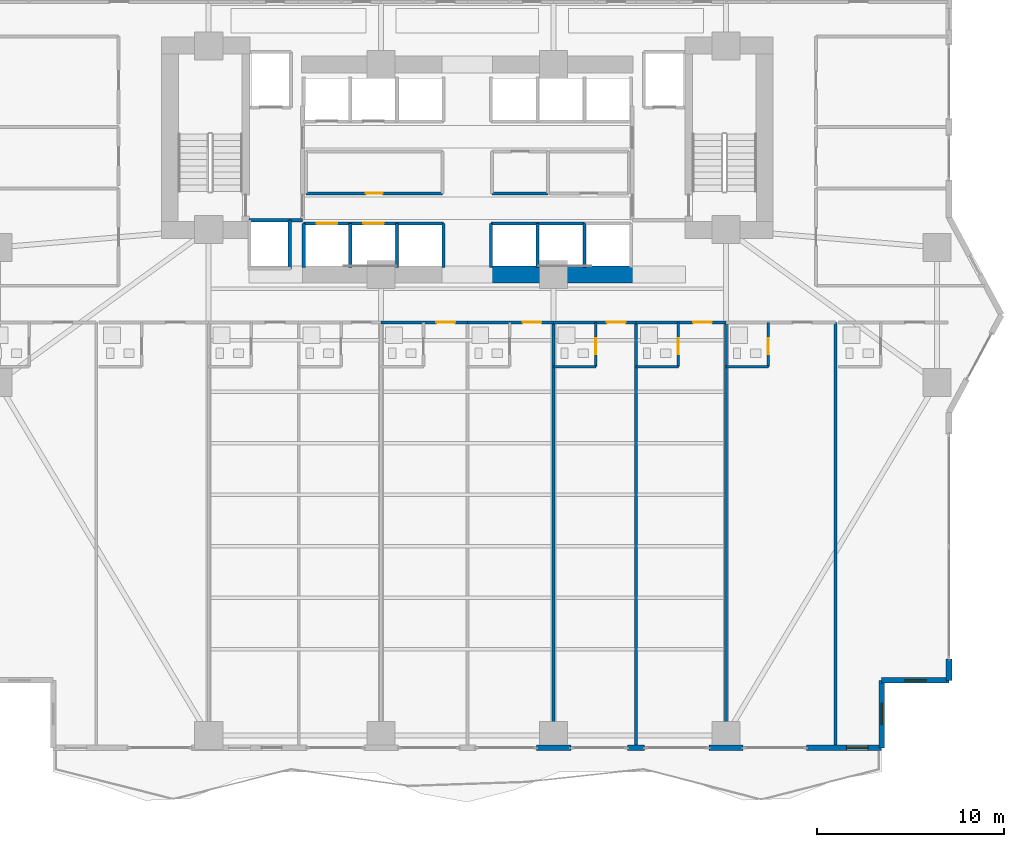
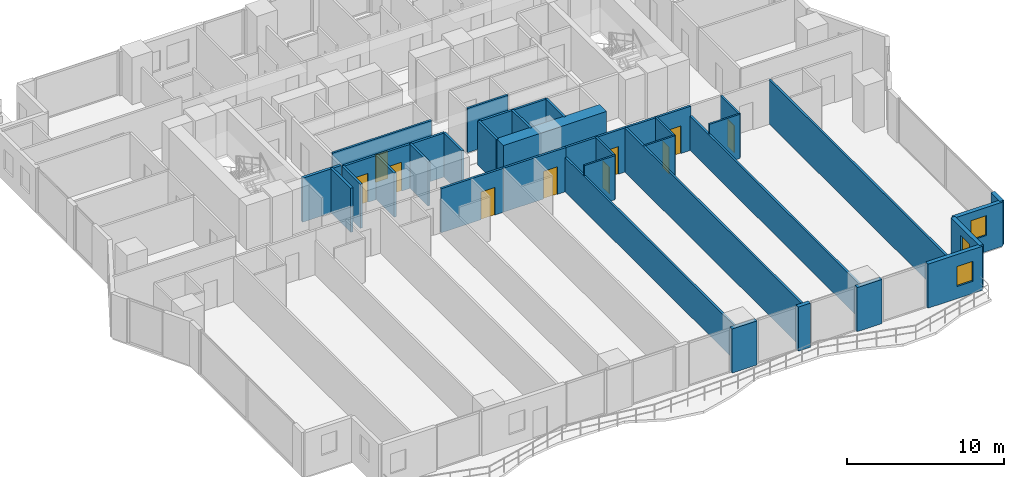
# One storey, part 20 of 29: 38 walls, 10 doors, 3 windows, 13 openings.
"""IFC4 building model written with IfcOpenShell, lengths in metres."""

from ifc_helpers import new_model, si_unit, direction, frame, frame_2d, origin, place, context, subcontext, project, spatial, rectangle, extrude, material, layer, layer_set, type_object, element, fill, save


model = new_model("IFC4")

# Units and contexts
model_context = context("Model", 3, precision=1e-05, world=origin(), true_north=direction((0.0, 1.0)))
body_context = subcontext(model_context, "Body", "Model", "MODEL_VIEW")
ifc_project = project(units=[si_unit("LENGTHUNIT", "METRE"), si_unit("AREAUNIT", "SQUARE_METRE"), si_unit("VOLUMEUNIT", "CUBIC_METRE"), si_unit("PLANEANGLEUNIT", "RADIAN"), si_unit("MASSUNIT", "GRAM", prefix="KILO")], contexts=[model_context])

# Site, building, storey
site_placement = place(None, origin())
site = spatial("IfcSite", under=ifc_project, at=site_placement, CompositionType="ELEMENT")
building_placement = place(site_placement, origin())
building = spatial("IfcBuilding", under=site, at=building_placement, Name="Zuhayl Quay Hotel", CompositionType="ELEMENT")
storey_placement = place(building_placement, frame((0.0, 0.0, 60.449951171875)))
storey = spatial("IfcBuildingStorey", under=building, at=storey_placement, Name="L14", CompositionType="ELEMENT", Elevation=60.449951171875)

# Walls
ifc_material_1 = material(Name="Concrete C70/85", Category="concrete")
ifc_layer_1 = layer(ifc_material_1, 0.89990234375, Name="Concrete C70/85", Category="concrete")
ifc_layer_set_1 = layer_set([ifc_layer_1], Name="Concrete C70/85")
wall_type_1 = type_object("IfcWallType", Name="WL_CORE_900", PredefinedType="SHEAR", material=ifc_layer_set_1)
wall_1_placement = place(storey_placement, frame((1.25, 2.14990234375, 0.0), z_axis=(0.0, 0.0, 1.0), x_axis=(1.0, 0.0, 0.0)))
element("IfcWall", 1, at=wall_1_placement, inside=storey, type_object=wall_type_1, Name="L14 Core Shear Wall CW_SC_E", PredefinedType="SHEAR", context=body_context, shape_type="SweptSolid", body=[
    extrude(rectangle(XDim=7.60009765625, YDim=0.89990234375, at=frame_2d((3.800048828125, 0.0))), origin(), (0.0, 0.0, 1.0), 3.429931640625),
])
ifc_material_2 = material(Name="Precast concrete C45/55", Category="concrete")
ifc_layer_2 = layer(ifc_material_2, 0.300048828125, Name="Precast concrete C45/55", Category="concrete")
ifc_layer_set_2 = layer_set([ifc_layer_2], Name="Precast concrete C45/55")
wall_type_2 = type_object("IfcWallType", Name="WL_EXT_300", PredefinedType="STANDARD", material=ifc_layer_set_2)
wall_2_placement = place(storey_placement, frame((25.699951171875, -18.35009765625, 0.0), z_axis=(0.0, 0.0, 1.0), x_axis=(0.0, -1.0, 0.0)))
element("IfcWall", 2, at=wall_2_placement, inside=storey, type_object=wall_type_2, Name="L14 Exterior Precast Wall ENV_L14_E14_EW2", PredefinedType="STANDARD", context=body_context, shape_type="SweptSolid", body=[
    extrude(rectangle(XDim=1.14990234375, YDim=0.300048828125, at=frame_2d((0.574951171875, 0.0))), origin(), (0.0, 0.0, 1.0), 3.429931640625),
])

# Wall, opening, window
wall_3_placement = place(storey_placement, frame((25.699951171875, -19.5, 0.0), z_axis=(0.0, 0.0, 1.0), x_axis=(-1.0, 0.0, 0.0)))
wall_3 = element("IfcWall", 3, at=wall_3_placement, inside=storey, type_object=wall_type_2, Name="L14 Exterior Precast Wall ENV_L14_EW15", PredefinedType="STANDARD", context=body_context, shape_type="SweptSolid", body=[
    extrude(rectangle(XDim=3.599853515625, YDim=0.300048828125, at=frame_2d((1.7998046875, 0.0))), origin(), (0.0, 0.0, 1.0), 3.429931640625),
])
opening_1_placement = place(wall_3_placement, frame((1.22509765625, 0.0, 1.25)))
opening_1 = element("IfcOpeningElement", 4, at=opening_1_placement, cuts=wall_3, Name="Opening W01N", PredefinedType="OPENING", context=body_context, shape_type="SweptSolid", body=[
    extrude(rectangle(XDim=1.14990234375, YDim=1.550048828125, at=frame_2d((0.574951171875, 0.77490234375))), frame((0.0, 0.159912109375, 0.0), z_axis=(0.0, -1.0, 0.0), x_axis=(1.0, 0.0, 0.0)), (0.0, 0.0, 1.0), 0.320068359375),
])
ifc_material_3 = material(Name="Dark Ceramic-Fritted Solar Glass", Category="glass")
window_type = type_object("IfcWindowType", Name="WN_NOTCH_1350", PartitioningType="SINGLE_PANEL", PredefinedType="WINDOW", material=ifc_material_3)
window_1_placement = place(opening_1_placement, origin())
window_1 = element("IfcWindow", 5, at=window_1_placement, inside=storey, type_object=window_type, Name="L14 Corner Notch Window 15", OverallHeight=1.550048828125, OverallWidth=1.14990234375, PartitioningType="SINGLE_PANEL", PredefinedType="WINDOW", context=body_context, shape_type="SweptSolid", body=[
    extrude(rectangle(XDim=1.14990234375, YDim=1.550048828125, at=frame_2d((0.574951171875, 0.77490234375))), frame((0.0, 0.030029296875, 0.0), z_axis=(0.0, -1.0, 0.0), x_axis=(1.0, 0.0, 0.0)), (0.0, 0.0, 1.0), 0.06005859375),
])
fill(opening_1, window_1)

wall_4_placement = place(storey_placement, frame((22.10009765625, -19.5, 0.0), z_axis=(0.0, 0.0, 1.0), x_axis=(0.0, -1.0, 0.0)))
wall_4 = element("IfcWall", 6, at=wall_4_placement, inside=storey, type_object=wall_type_2, Name="L14 Exterior Precast Wall ENV_L14_EW16", PredefinedType="STANDARD", context=body_context, shape_type="SweptSolid", body=[
    extrude(rectangle(XDim=3.60009765625, YDim=0.300048828125, at=frame_2d((1.800048828125, 0.0))), origin(), (0.0, 0.0, 1.0), 3.429931640625),
])
opening_2_placement = place(wall_4_placement, frame((1.22509765625, 0.0, 1.25)))
opening_2 = element("IfcOpeningElement", 7, at=opening_2_placement, cuts=wall_4, Name="Opening W01N", PredefinedType="OPENING", context=body_context, shape_type="SweptSolid", body=[
    extrude(rectangle(XDim=1.14990234375, YDim=1.550048828125, at=frame_2d((0.574951171875, 0.77490234375))), frame((0.0, 0.159912109375, 0.0), z_axis=(0.0, -1.0, 0.0), x_axis=(1.0, 0.0, 0.0)), (0.0, 0.0, 1.0), 0.320068359375),
])
window_2_placement = place(opening_2_placement, origin())
window_2 = element("IfcWindow", 8, at=window_2_placement, inside=storey, type_object=window_type, Name="L14 Corner Notch Window 16", OverallHeight=1.550048828125, OverallWidth=1.14990234375, PartitioningType="SINGLE_PANEL", PredefinedType="WINDOW", context=body_context, shape_type="SweptSolid", body=[
    extrude(rectangle(XDim=1.14990234375, YDim=1.550048828125, at=frame_2d((0.574951171875, 0.77490234375))), frame((0.0, 0.030029296875, 0.0), z_axis=(0.0, -1.0, 0.0), x_axis=(1.0, 0.0, 0.0)), (0.0, 0.0, 1.0), 0.06005859375),
])
fill(opening_2, window_2)

wall_5_placement = place(storey_placement, frame((22.10009765625, -23.10009765625, 0.0), z_axis=(0.0, 0.0, 1.0), x_axis=(-1.0, 0.0, 0.0)))
wall_5 = element("IfcWall", 9, at=wall_5_placement, inside=storey, type_object=wall_type_2, Name="L14 Exterior Precast Wall ENV_L14_S_EW1", PredefinedType="STANDARD", context=body_context, shape_type="SweptSolid", body=[
    extrude(rectangle(XDim=4.0, YDim=0.300048828125, at=frame_2d((2.0, 0.0))), origin(), (0.0, 0.0, 1.0), 3.429931640625),
])
opening_3_placement = place(wall_5_placement, frame((0.715087890625, 0.0, 0.949951171875)))
opening_3 = element("IfcOpeningElement", 10, at=opening_3_placement, cuts=wall_5, Name="Opening W01N", PredefinedType="OPENING", context=body_context, shape_type="SweptSolid", body=[
    extrude(rectangle(XDim=1.14990234375, YDim=1.550048828125, at=frame_2d((0.574951171875, 0.77490234375))), frame((0.0, 0.159912109375, 0.0), z_axis=(0.0, -1.0, 0.0), x_axis=(1.0, 0.0, 0.0)), (0.0, 0.0, 1.0), 0.320068359375),
])
window_3_placement = place(opening_3_placement, origin())
window_3 = element("IfcWindow", 11, at=window_3_placement, inside=storey, type_object=window_type, Name="L14 Operable Facade Window 1-1", OverallHeight=1.550048828125, OverallWidth=1.14990234375, PartitioningType="SINGLE_PANEL", PredefinedType="WINDOW", context=body_context, shape_type="SweptSolid", body=[
    extrude(rectangle(XDim=1.14990234375, YDim=1.550048828125, at=frame_2d((0.574951171875, 0.77490234375))), frame((0.0, 0.030029296875, 0.0), z_axis=(0.0, -1.0, 0.0), x_axis=(1.0, 0.0, 0.0)), (0.0, 0.0, 1.0), 0.06005859375),
])
fill(opening_3, window_3)

# Walls
wall_6_placement = place(storey_placement, frame((14.719970703125, -23.10009765625, 0.0), z_axis=(0.0, 0.0, 1.0), x_axis=(-1.0, 0.0, 0.0)))
element("IfcWall", 12, at=wall_6_placement, inside=storey, type_object=wall_type_2, Name="L14 Exterior Precast Wall ENV_L14_S_EW2", PredefinedType="STANDARD", context=body_context, shape_type="SweptSolid", body=[
    extrude(rectangle(XDim=1.840087890625, YDim=0.300048828125, at=frame_2d((0.919921875, 0.0))), origin(), (0.0, 0.0, 1.0), 3.429931640625),
])
wall_7_placement = place(storey_placement, frame((9.449951171875, -23.10009765625, 0.0), z_axis=(0.0, 0.0, 1.0), x_axis=(-1.0, 0.0, 0.0)))
element("IfcWall", 13, at=wall_7_placement, inside=storey, type_object=wall_type_2, Name="L14 Exterior Precast Wall ENV_L14_S_EW3", PredefinedType="STANDARD", context=body_context, shape_type="SweptSolid", body=[
    extrude(rectangle(XDim=0.89990234375, YDim=0.300048828125, at=frame_2d((0.449951171875, 0.0))), origin(), (0.0, 0.0, 1.0), 3.429931640625),
])
wall_8_placement = place(storey_placement, frame((5.52001953125, -23.10009765625, 0.0), z_axis=(0.0, 0.0, 1.0), x_axis=(-1.0, 0.0, 0.0)))
element("IfcWall", 14, at=wall_8_placement, inside=storey, type_object=wall_type_2, Name="L14 Exterior Precast Wall ENV_L14_S_EW4", PredefinedType="STANDARD", context=body_context, shape_type="SweptSolid", body=[
    extrude(rectangle(XDim=1.840087890625, YDim=0.300048828125, at=frame_2d((0.919921875, 0.0))), origin(), (0.0, 0.0, 1.0), 3.429931640625),
])

# Wall, opening, door
ifc_material_4 = material(Name="Acoustic Gypsum Partition STC-58")
ifc_layer_3 = layer(ifc_material_4, 0.14990234375, Name="Acoustic Gypsum Partition STC-58")
ifc_layer_set_3 = layer_set([ifc_layer_3], Name="Acoustic Gypsum Partition STC-58")
wall_type_3 = type_object("IfcWallType", Name="WL_PART_150", PredefinedType="PARTITIONING", material=ifc_layer_set_3)
wall_9_placement = place(storey_placement, frame((-8.610107421875, 6.47998046875, 0.0), z_axis=(0.0, 0.0, 1.0), x_axis=(1.0, 0.0, 0.0)))
wall_9 = element("IfcWall", 15, at=wall_9_placement, inside=storey, type_object=wall_type_3, Name="L14 Partition IW_L14_CORE_EL_S", PredefinedType="PARTITIONING", context=body_context, shape_type="SweptSolid", body=[
    extrude(rectangle(XDim=7.2900390625, YDim=0.14990234375, at=frame_2d((3.64501953125, 0.0))), origin(), (0.0, 0.0, 1.0), 3.429931640625),
])
opening_4_placement = place(wall_9_placement, frame((3.195068359375, 0.0, 0.0)))
opening_4 = element("IfcOpeningElement", 16, at=opening_4_placement, cuts=wall_9, Name="Opening D06", PredefinedType="OPENING", context=body_context, shape_type="SweptSolid", body=[
    extrude(rectangle(XDim=0.89990234375, YDim=2.14990234375, at=frame_2d((0.449951171875, 1.074951171875))), frame((0.0, 0.0849609375, 0.0), z_axis=(0.0, -1.0, 0.0), x_axis=(1.0, 0.0, 0.0)), (0.0, 0.0, 1.0), 0.169921875),
])
ifc_material_5 = material(Name="Steel ASTM A992 Grade 50", Category="steel")
door_type_1 = type_object("IfcDoorType", Name="DR_INT_900", OperationType="NOTDEFINED", PredefinedType="DOOR", material=ifc_material_5)
door_1_placement = place(opening_4_placement, origin())
door_1 = element("IfcDoor", 17, at=door_1_placement, inside=storey, type_object=door_type_1, Name="L14 Floor Electrical Plant Room Door", OperationType="SINGLE_SWING_RIGHT", OverallHeight=2.14990234375, OverallWidth=0.89990234375, PredefinedType="DOOR", context=body_context, shape_type="SweptSolid", body=[
    extrude(rectangle(XDim=0.89990234375, YDim=2.14990234375, at=frame_2d((0.449951171875, 1.074951171875))), frame((0.0, 0.02490234375, 0.0), z_axis=(0.0, -1.0, 0.0), x_axis=(1.0, 0.0, 0.0)), (0.0, 0.0, 1.0), 0.050048828125),
])
fill(opening_4, door_1)

# Walls
wall_10_placement = place(storey_placement, frame((1.320068359375, 6.47998046875, 0.0), z_axis=(0.0, 0.0, 1.0), x_axis=(1.0, 0.0, 0.0)))
element("IfcWall", 18, at=wall_10_placement, inside=storey, type_object=wall_type_3, Name="L14 Partition IW_L14_CORE_IT_S", PredefinedType="PARTITIONING", context=body_context, shape_type="SweptSolid", body=[
    extrude(rectangle(XDim=2.989990234375, YDim=0.14990234375, at=frame_2d((1.4951171875, 0.0))), origin(), (0.0, 0.0, 1.0), 3.429931640625),
])
wall_11_placement = place(storey_placement, frame((4.60009765625, -23.02001953125, 0.0), z_axis=(0.0, 0.0, 1.0), x_axis=(0.0, 1.0, 0.0)))
element("IfcWall", 19, at=wall_11_placement, inside=storey, type_object=wall_type_3, Name="L14 Partition IW_L14_SU05_E", PredefinedType="PARTITIONING", context=body_context, shape_type="SweptSolid", body=[
    extrude(rectangle(XDim=22.6201171875, YDim=0.14990234375, at=frame_2d((11.31005859375, 0.0))), origin(), (0.0, 0.0, 1.0), 2.66796875),
])
wall_12_placement = place(storey_placement, frame((9.0, -23.02001953125, 0.0), z_axis=(0.0, 0.0, 1.0), x_axis=(0.0, 1.0, 0.0)))
element("IfcWall", 20, at=wall_12_placement, inside=storey, type_object=wall_type_3, Name="L14 Partition IW_L14_SU06_E", PredefinedType="PARTITIONING", context=body_context, shape_type="SweptSolid", body=[
    extrude(rectangle(XDim=22.6201171875, YDim=0.14990234375, at=frame_2d((11.31005859375, 0.0))), origin(), (0.0, 0.0, 1.0), 3.429931640625),
])
wall_13_placement = place(storey_placement, frame((13.800048828125, -23.02001953125, 0.0), z_axis=(0.0, 0.0, 1.0), x_axis=(0.0, 1.0, 0.0)))
element("IfcWall", 21, at=wall_13_placement, inside=storey, type_object=wall_type_3, Name="L14 Partition IW_L14_SU07_E", PredefinedType="PARTITIONING", context=body_context, shape_type="SweptSolid", body=[
    extrude(rectangle(XDim=22.6201171875, YDim=0.14990234375, at=frame_2d((11.31005859375, 0.0))), origin(), (0.0, 0.0, 1.0), 2.66796875),
])
wall_14_placement = place(storey_placement, frame((19.639892578125, -23.02001953125, 0.0), z_axis=(0.0, 0.0, 1.0), x_axis=(0.0, 1.0, 0.0)))
element("IfcWall", 22, at=wall_14_placement, inside=storey, type_object=wall_type_3, Name="L14 Partition IW_L14_SU08A_E", PredefinedType="PARTITIONING", context=body_context, shape_type="SweptSolid", body=[
    extrude(rectangle(XDim=22.6201171875, YDim=0.14990234375, at=frame_2d((11.31005859375, 0.0))), origin(), (0.0, 0.0, 1.0), 3.429931640625),
])

# Wall, opening, door
ifc_layer_4 = layer(ifc_material_4, 0.159912109375, Name="Acoustic Gypsum Partition STC-58")
ifc_layer_set_4 = layer_set([ifc_layer_4], Name="Acoustic Gypsum Partition STC-58")
wall_type_4 = type_object("IfcWallType", Name="WL_PART_CORR_160", PredefinedType="PARTITIONING", material=ifc_layer_set_4)
wall_15_placement = place(storey_placement, frame((-4.60009765625, -0.39990234375, 0.0), z_axis=(0.0, 0.0, 1.0), x_axis=(1.0, 0.0, 0.0)))
wall_15 = element("IfcWall", 23, at=wall_15_placement, inside=storey, type_object=wall_type_4, Name="L14 Partition IW_L14_SU04_COR", PredefinedType="PARTITIONING", context=body_context, shape_type="SweptSolid", body=[
    extrude(rectangle(XDim=4.60009765625, YDim=0.159912109375, at=frame_2d((2.300048828125, 0.0))), origin(), (0.0, 0.0, 1.0), 3.429931640625),
])
opening_5_placement = place(wall_15_placement, frame((2.949951171875, 0.0, 0.0)))
opening_5 = element("IfcOpeningElement", 24, at=opening_5_placement, cuts=wall_15, Name="Opening D03L", PredefinedType="OPENING", context=body_context, shape_type="SweptSolid", body=[
    extrude(rectangle(XDim=1.0, YDim=2.14990234375, at=frame_2d((0.5, 1.074951171875))), frame((0.0, 0.08984375, 0.0), z_axis=(0.0, -1.0, 0.0), x_axis=(1.0, 0.0, 0.0)), (0.0, 0.0, 1.0), 0.179931640625),
])
ifc_material_6 = material(Name="Solid Walnut Acoustic Fire Door")
door_type_2 = type_object("IfcDoorType", Name="DR_SUITE_1000", OperationType="NOTDEFINED", PredefinedType="DOOR", material=ifc_material_6)
door_2_placement = place(opening_5_placement, origin())
door_2 = element("IfcDoor", 25, at=door_2_placement, inside=storey, type_object=door_type_2, Name="L14 Premier Twin Junior Suite L14-04 Entrance Door", OperationType="SINGLE_SWING_RIGHT", OverallHeight=2.14990234375, OverallWidth=1.0, PredefinedType="DOOR", context=body_context, shape_type="SweptSolid", body=[
    extrude(rectangle(XDim=1.0, YDim=2.14990234375, at=frame_2d((0.5, 1.074951171875))), frame((0.0, 0.02490234375, 0.0), z_axis=(0.0, -1.0, 0.0), x_axis=(1.0, 0.0, 0.0)), (0.0, 0.0, 1.0), 0.050048828125),
])
fill(opening_5, door_2)

wall_16_placement = place(storey_placement, frame((0.0, -0.39990234375, 0.0), z_axis=(0.0, 0.0, 1.0), x_axis=(1.0, 0.0, 0.0)))
wall_16 = element("IfcWall", 26, at=wall_16_placement, inside=storey, type_object=wall_type_4, Name="L14 Partition IW_L14_SU05_COR", PredefinedType="PARTITIONING", context=body_context, shape_type="SweptSolid", body=[
    extrude(rectangle(XDim=4.60009765625, YDim=0.159912109375, at=frame_2d((2.300048828125, 0.0))), origin(), (0.0, 0.0, 1.0), 3.429931640625),
])
opening_6_placement = place(wall_16_placement, frame((2.949951171875, 0.0, 0.0)))
opening_6 = element("IfcOpeningElement", 27, at=opening_6_placement, cuts=wall_16, Name="Opening D03L", PredefinedType="OPENING", context=body_context, shape_type="SweptSolid", body=[
    extrude(rectangle(XDim=1.0, YDim=2.14990234375, at=frame_2d((0.5, 1.074951171875))), frame((0.0, 0.08984375, 0.0), z_axis=(0.0, -1.0, 0.0), x_axis=(1.0, 0.0, 0.0)), (0.0, 0.0, 1.0), 0.179931640625),
])
door_3_placement = place(opening_6_placement, origin())
door_3 = element("IfcDoor", 28, at=door_3_placement, inside=storey, type_object=door_type_2, Name="L14 Premier Twin Junior Suite L14-05 Entrance Door", OperationType="SINGLE_SWING_RIGHT", OverallHeight=2.14990234375, OverallWidth=1.0, PredefinedType="DOOR", context=body_context, shape_type="SweptSolid", body=[
    extrude(rectangle(XDim=1.0, YDim=2.14990234375, at=frame_2d((0.5, 1.074951171875))), frame((0.0, 0.02490234375, 0.0), z_axis=(0.0, -1.0, 0.0), x_axis=(1.0, 0.0, 0.0)), (0.0, 0.0, 1.0), 0.050048828125),
])
fill(opening_6, door_3)

wall_17_placement = place(storey_placement, frame((4.60009765625, -0.39990234375, 0.0), z_axis=(0.0, 0.0, 1.0), x_axis=(1.0, 0.0, 0.0)))
wall_17 = element("IfcWall", 29, at=wall_17_placement, inside=storey, type_object=wall_type_4, Name="L14 Partition IW_L14_SU06_COR", PredefinedType="PARTITIONING", context=body_context, shape_type="SweptSolid", body=[
    extrude(rectangle(XDim=4.39990234375, YDim=0.159912109375, at=frame_2d((2.199951171875, 0.0))), origin(), (0.0, 0.0, 1.0), 3.429931640625),
])
opening_7_placement = place(wall_17_placement, frame((2.85009765625, 0.0, 0.0)))
opening_7 = element("IfcOpeningElement", 30, at=opening_7_placement, cuts=wall_17, Name="Opening D03L", PredefinedType="OPENING", context=body_context, shape_type="SweptSolid", body=[
    extrude(rectangle(XDim=1.0, YDim=2.14990234375, at=frame_2d((0.5, 1.074951171875))), frame((0.0, 0.08984375, 0.0), z_axis=(0.0, -1.0, 0.0), x_axis=(1.0, 0.0, 0.0)), (0.0, 0.0, 1.0), 0.179931640625),
])
door_4_placement = place(opening_7_placement, origin())
door_4 = element("IfcDoor", 31, at=door_4_placement, inside=storey, type_object=door_type_2, Name="L14 Premier Twin Junior Suite L14-06 Entrance Door", OperationType="SINGLE_SWING_RIGHT", OverallHeight=2.14990234375, OverallWidth=1.0, PredefinedType="DOOR", context=body_context, shape_type="SweptSolid", body=[
    extrude(rectangle(XDim=1.0, YDim=2.14990234375, at=frame_2d((0.5, 1.074951171875))), frame((0.0, 0.02490234375, 0.0), z_axis=(0.0, -1.0, 0.0), x_axis=(1.0, 0.0, 0.0)), (0.0, 0.0, 1.0), 0.050048828125),
])
fill(opening_7, door_4)

wall_18_placement = place(storey_placement, frame((9.0, -0.39990234375, 0.0), z_axis=(0.0, 0.0, 1.0), x_axis=(1.0, 0.0, 0.0)))
wall_18 = element("IfcWall", 32, at=wall_18_placement, inside=storey, type_object=wall_type_4, Name="L14 Partition IW_L14_SU07_COR", PredefinedType="PARTITIONING", context=body_context, shape_type="SweptSolid", body=[
    extrude(rectangle(XDim=4.800048828125, YDim=0.159912109375, at=frame_2d((2.39990234375, 0.0))), origin(), (0.0, 0.0, 1.0), 3.429931640625),
])
opening_8_placement = place(wall_18_placement, frame((3.050048828125, 0.0, 0.0)))
opening_8 = element("IfcOpeningElement", 33, at=opening_8_placement, cuts=wall_18, Name="Opening D03L", PredefinedType="OPENING", context=body_context, shape_type="SweptSolid", body=[
    extrude(rectangle(XDim=1.0, YDim=2.14990234375, at=frame_2d((0.5, 1.074951171875))), frame((0.0, 0.08984375, 0.0), z_axis=(0.0, -1.0, 0.0), x_axis=(1.0, 0.0, 0.0)), (0.0, 0.0, 1.0), 0.179931640625),
])
door_5_placement = place(opening_8_placement, origin())
door_5 = element("IfcDoor", 34, at=door_5_placement, inside=storey, type_object=door_type_2, Name="L14 Premier Twin Junior Suite L14-07 Entrance Door", OperationType="SINGLE_SWING_RIGHT", OverallHeight=2.14990234375, OverallWidth=1.0, PredefinedType="DOOR", context=body_context, shape_type="SweptSolid", body=[
    extrude(rectangle(XDim=1.0, YDim=2.14990234375, at=frame_2d((0.5, 1.074951171875))), frame((0.0, 0.02490234375, 0.0), z_axis=(0.0, -1.0, 0.0), x_axis=(1.0, 0.0, 0.0)), (0.0, 0.0, 1.0), 0.050048828125),
])
fill(opening_8, door_5)

ifc_material_7 = material(Name="Moisture-Resistant Sanitarychase Gypsum")
ifc_layer_5 = layer(ifc_material_7, 0.135009765625, Name="Moisture-Resistant Sanitarychase Gypsum")
ifc_layer_set_5 = layer_set([ifc_layer_5], Name="Moisture-Resistant Sanitarychase Gypsum")
wall_type_5 = type_object("IfcWallType", Name="WL_PART_PLUMB_150", PredefinedType="PLUMBINGWALL", material=ifc_layer_set_5)
wall_19_placement = place(storey_placement, frame((6.860107421875, -2.760009765625, 0.0), z_axis=(0.0, 0.0, 1.0), x_axis=(0.0, 1.0, 0.0)))
wall_19 = element("IfcWall", 35, at=wall_19_placement, inside=storey, type_object=wall_type_5, Name="L14 Partition IW_L14_SU06_BE", PredefinedType="PLUMBINGWALL", context=body_context, shape_type="SweptSolid", body=[
    extrude(rectangle(XDim=2.360107421875, YDim=0.135009765625, at=frame_2d((1.18017578125, 0.0))), origin(), (0.0, 0.0, 1.0), 3.429931640625),
])
opening_9_placement = place(wall_19_placement, frame((0.64990234375, 0.0, 0.0)))
opening_9 = element("IfcOpeningElement", 36, at=opening_9_placement, cuts=wall_19, Name="Opening D04", PredefinedType="OPENING", context=body_context, shape_type="SweptSolid", body=[
    extrude(rectangle(XDim=0.85009765625, YDim=2.10009765625, at=frame_2d((0.425048828125, 1.050048828125))), frame((0.0, 0.077392578125, 0.0), z_axis=(0.0, -1.0, 0.0), x_axis=(1.0, 0.0, 0.0)), (0.0, 0.0, 1.0), 0.155029296875),
])
ifc_material_8 = material(Name="Moisture-Resistant Walnut Veneer")
door_type_3 = type_object("IfcDoorType", Name="DR_BATH_850", OperationType="NOTDEFINED", PredefinedType="DOOR", material=ifc_material_8)
door_6_placement = place(opening_9_placement, origin())
door_6 = element("IfcDoor", 37, at=door_6_placement, inside=storey, type_object=door_type_3, Name="L14 Premier Twin Junior Suite L14-06 En-Suite Door", OperationType="SINGLE_SWING_LEFT", OverallHeight=2.10009765625, OverallWidth=0.85009765625, PredefinedType="DOOR", context=body_context, shape_type="SweptSolid", body=[
    extrude(rectangle(XDim=0.85009765625, YDim=2.10009765625, at=frame_2d((0.425048828125, 1.050048828125))), frame((0.0, 0.02490234375, 0.0), z_axis=(0.0, -1.0, 0.0), x_axis=(1.0, 0.0, 0.0)), (0.0, 0.0, 1.0), 0.050048828125),
])
fill(opening_9, door_6)

wall_20_placement = place(storey_placement, frame((11.260009765625, -2.760009765625, 0.0), z_axis=(0.0, 0.0, 1.0), x_axis=(0.0, 1.0, 0.0)))
wall_20 = element("IfcWall", 38, at=wall_20_placement, inside=storey, type_object=wall_type_5, Name="L14 Partition IW_L14_SU07_BE", PredefinedType="PLUMBINGWALL", context=body_context, shape_type="SweptSolid", body=[
    extrude(rectangle(XDim=2.360107421875, YDim=0.135009765625, at=frame_2d((1.18017578125, 0.0))), origin(), (0.0, 0.0, 1.0), 3.429931640625),
])
opening_10_placement = place(wall_20_placement, frame((0.64990234375, 0.0, 0.0)))
opening_10 = element("IfcOpeningElement", 39, at=opening_10_placement, cuts=wall_20, Name="Opening D04", PredefinedType="OPENING", context=body_context, shape_type="SweptSolid", body=[
    extrude(rectangle(XDim=0.85009765625, YDim=2.10009765625, at=frame_2d((0.425048828125, 1.050048828125))), frame((0.0, 0.077392578125, 0.0), z_axis=(0.0, -1.0, 0.0), x_axis=(1.0, 0.0, 0.0)), (0.0, 0.0, 1.0), 0.155029296875),
])
door_7_placement = place(opening_10_placement, origin())
door_7 = element("IfcDoor", 40, at=door_7_placement, inside=storey, type_object=door_type_3, Name="L14 Premier Twin Junior Suite L14-07 En-Suite Door", OperationType="SINGLE_SWING_LEFT", OverallHeight=2.10009765625, OverallWidth=0.85009765625, PredefinedType="DOOR", context=body_context, shape_type="SweptSolid", body=[
    extrude(rectangle(XDim=0.85009765625, YDim=2.10009765625, at=frame_2d((0.425048828125, 1.050048828125))), frame((0.0, 0.02490234375, 0.0), z_axis=(0.0, -1.0, 0.0), x_axis=(1.0, 0.0, 0.0)), (0.0, 0.0, 1.0), 0.050048828125),
])
fill(opening_10, door_7)

wall_21_placement = place(storey_placement, frame((16.06005859375, -2.760009765625, 0.0), z_axis=(0.0, 0.0, 1.0), x_axis=(0.0, 1.0, 0.0)))
wall_21 = element("IfcWall", 41, at=wall_21_placement, inside=storey, type_object=wall_type_5, Name="L14 Partition IW_L14_SU08A_BE", PredefinedType="PLUMBINGWALL", context=body_context, shape_type="SweptSolid", body=[
    extrude(rectangle(XDim=2.360107421875, YDim=0.135009765625, at=frame_2d((1.18017578125, 0.0))), origin(), (0.0, 0.0, 1.0), 3.429931640625),
])
opening_11_placement = place(wall_21_placement, frame((0.64990234375, 0.0, 0.0)))
opening_11 = element("IfcOpeningElement", 42, at=opening_11_placement, cuts=wall_21, Name="Opening D04", PredefinedType="OPENING", context=body_context, shape_type="SweptSolid", body=[
    extrude(rectangle(XDim=0.85009765625, YDim=2.10009765625, at=frame_2d((0.425048828125, 1.050048828125))), frame((0.0, 0.077392578125, 0.0), z_axis=(0.0, -1.0, 0.0), x_axis=(1.0, 0.0, 0.0)), (0.0, 0.0, 1.0), 0.155029296875),
])
door_8_placement = place(opening_11_placement, origin())
door_8 = element("IfcDoor", 43, at=door_8_placement, inside=storey, type_object=door_type_3, Name="L14 Premier Twin Junior Suite L14-08A En-Suite Door", OperationType="SINGLE_SWING_LEFT", OverallHeight=2.10009765625, OverallWidth=0.85009765625, PredefinedType="DOOR", context=body_context, shape_type="SweptSolid", body=[
    extrude(rectangle(XDim=0.85009765625, YDim=2.10009765625, at=frame_2d((0.425048828125, 1.050048828125))), frame((0.0, 0.02490234375, 0.0), z_axis=(0.0, -1.0, 0.0), x_axis=(1.0, 0.0, 0.0)), (0.0, 0.0, 1.0), 0.050048828125),
])
fill(opening_11, door_8)

# Walls
for number, where, z_axis, x_axis, name in (
    (44, (4.60009765625, -2.760009765625, 0.0), (0.0, 0.0, 1.0), (1.0, 0.0, 0.0), "L14 Partition IW_L14_SU06_BS"),
    (45, (9.0, -2.760009765625, 0.0), (0.0, 0.0, 1.0), (1.0, 0.0, 0.0), "L14 Partition IW_L14_SU07_BS"),
    (46, (13.800048828125, -2.760009765625, 0.0), (0.0, 0.0, 1.0), (1.0, 0.0, 0.0), "L14 Partition IW_L14_SU08A_BS"),
):
    element("IfcWall", number, at=place(storey_placement, frame(where, z_axis=z_axis, x_axis=x_axis)), inside=storey, type_object=wall_type_5, Name=name, PredefinedType="PLUMBINGWALL", context=body_context, shape_type="SweptSolid", body=[
        extrude(rectangle(XDim=2.260009765625, YDim=0.135009765625, at=frame_2d((1.1298828125, 0.0))), origin(), (0.0, 0.0, 1.0), 3.429931640625),
    ])

# Wall, opening, door
ifc_material_9 = material(Name="Gypsum Fireboard Assembly EI-90")
ifc_layer_6 = layer(ifc_material_9, 0.1650390625, Name="Gypsum Fireboard Assembly EI-90")
ifc_layer_set_6 = layer_set([ifc_layer_6], Name="Gypsum Fireboard Assembly EI-90")
wall_type_6 = type_object("IfcWallType", Name="WL_PART_SHAFT_160", PredefinedType="PARTITIONING", material=ifc_layer_set_6)
wall_22_placement = place(storey_placement, frame((-8.72998046875, 4.8798828125, 0.0), z_axis=(0.0, 0.0, 1.0), x_axis=(1.0, 0.0, 0.0)))
wall_22 = element("IfcWall", 47, at=wall_22_placement, inside=storey, type_object=wall_type_6, Name="L14 Partition IW_L14_SH_LP1_F", PredefinedType="PARTITIONING", context=body_context, shape_type="SweptSolid", body=[
    extrude(rectangle(XDim=2.47998046875, YDim=0.1650390625, at=frame_2d((1.239990234375, 0.0))), origin(), (0.0, 0.0, 1.0), 3.429931640625),
])
opening_12_placement = place(wall_22_placement, frame((0.68994140625, 0.0, 0.0)))
opening_12 = element("IfcOpeningElement", 48, at=opening_12_placement, cuts=wall_22, Name="Opening LD1", PredefinedType="OPENING", context=body_context, shape_type="SweptSolid", body=[
    extrude(rectangle(XDim=1.10009765625, YDim=2.25, at=frame_2d((0.550048828125, 1.125))), frame((0.0, 0.092529296875, 0.0), z_axis=(0.0, -1.0, 0.0), x_axis=(1.0, 0.0, 0.0)), (0.0, 0.0, 1.0), 0.18505859375),
])
ifc_material_10 = material(Name="Brushed Stainless Steel", Category="steel")
door_type_4 = type_object("IfcDoorType", Name="DR_LIFT_PASS_1100", OperationType="SLIDING_TO_LEFT", PredefinedType="DOOR", material=ifc_material_10)
door_9_placement = place(opening_12_placement, origin())
door_9 = element("IfcDoor", 49, at=door_9_placement, inside=storey, type_object=door_type_4, Name="L14 Lift LP1 Sliding Landing Door", OperationType="SLIDING_TO_LEFT", OverallHeight=2.25, OverallWidth=1.10009765625, PredefinedType="DOOR", context=body_context, shape_type="SweptSolid", body=[
    extrude(rectangle(XDim=1.10009765625, YDim=2.25, at=frame_2d((0.550048828125, 1.125))), frame((0.0, 0.02490234375, 0.0), z_axis=(0.0, -1.0, 0.0), x_axis=(1.0, 0.0, 0.0)), (0.0, 0.0, 1.0), 0.050048828125),
])
fill(opening_12, door_9)

wall_23_placement = place(storey_placement, frame((-6.25, 4.8798828125, 0.0), z_axis=(0.0, 0.0, 1.0), x_axis=(1.0, 0.0, 0.0)))
wall_23 = element("IfcWall", 50, at=wall_23_placement, inside=storey, type_object=wall_type_6, Name="L14 Partition IW_L14_SH_LP2_F", PredefinedType="PARTITIONING", context=body_context, shape_type="SweptSolid", body=[
    extrude(rectangle(XDim=2.5, YDim=0.1650390625, at=frame_2d((1.25, 0.0))), origin(), (0.0, 0.0, 1.0), 3.429931640625),
])
opening_13_placement = place(wall_23_placement, frame((0.699951171875, 0.0, 0.0)))
opening_13 = element("IfcOpeningElement", 51, at=opening_13_placement, cuts=wall_23, Name="Opening LD1", PredefinedType="OPENING", context=body_context, shape_type="SweptSolid", body=[
    extrude(rectangle(XDim=1.10009765625, YDim=2.25, at=frame_2d((0.550048828125, 1.125))), frame((0.0, 0.092529296875, 0.0), z_axis=(0.0, -1.0, 0.0), x_axis=(1.0, 0.0, 0.0)), (0.0, 0.0, 1.0), 0.18505859375),
])
door_10_placement = place(opening_13_placement, origin())
door_10 = element("IfcDoor", 52, at=door_10_placement, inside=storey, type_object=door_type_4, Name="L14 Lift LP2 Sliding Landing Door", OperationType="SLIDING_TO_LEFT", OverallHeight=2.25, OverallWidth=1.10009765625, PredefinedType="DOOR", context=body_context, shape_type="SweptSolid", body=[
    extrude(rectangle(XDim=1.10009765625, YDim=2.25, at=frame_2d((0.550048828125, 1.125))), frame((0.0, 0.02490234375, 0.0), z_axis=(0.0, -1.0, 0.0), x_axis=(1.0, 0.0, 0.0)), (0.0, 0.0, 1.0), 0.050048828125),
])
fill(opening_13, door_10)

# Walls
for number, where, z_axis, x_axis, name in (
    (53, (-8.72998046875, 2.52001953125, 0.0), (0.0, 0.0, 1.0), (0.0, 1.0, 0.0), "L14 Partition IW_L14_SH_LP1_W"),
    (54, (-6.25, 2.52001953125, 0.0), (0.0, 0.0, 1.0), (0.0, 1.0, 0.0), "L14 Partition IW_L14_SH_LP1_E"),
    (55, (-3.75, 2.52001953125, 0.0), (0.0, 0.0, 1.0), (0.0, 1.0, 0.0), "L14 Partition IW_L14_SH_LP2_E"),
):
    element("IfcWall", number, at=place(storey_placement, frame(where, z_axis=z_axis, x_axis=x_axis)), inside=storey, type_object=wall_type_6, Name=name, PredefinedType="PARTITIONING", context=body_context, shape_type="SweptSolid", body=[
        extrude(rectangle(XDim=2.35986328125, YDim=0.1650390625, at=frame_2d((1.179931640625, 0.0))), origin(), (0.0, 0.0, 1.0), 3.429931640625),
    ])
wall_24_placement = place(storey_placement, frame((-3.75, 4.8798828125, 0.0), z_axis=(0.0, 0.0, 1.0), x_axis=(1.0, 0.0, 0.0)))
element("IfcWall", 56, at=wall_24_placement, inside=storey, type_object=wall_type_6, Name="L14 Partition IW_L14_SH_MP1_F", PredefinedType="PARTITIONING", context=body_context, shape_type="SweptSolid", body=[
    extrude(rectangle(XDim=2.47998046875, YDim=0.1650390625, at=frame_2d((1.239990234375, 0.0))), origin(), (0.0, 0.0, 1.0), 3.429931640625),
])
wall_25_placement = place(storey_placement, frame((-1.27001953125, 2.52001953125, 0.0), z_axis=(0.0, 0.0, 1.0), x_axis=(0.0, 1.0, 0.0)))
element("IfcWall", 57, at=wall_25_placement, inside=storey, type_object=wall_type_6, Name="L14 Partition IW_L14_SH_MP1_E", PredefinedType="PARTITIONING", context=body_context, shape_type="SweptSolid", body=[
    extrude(rectangle(XDim=2.35986328125, YDim=0.1650390625, at=frame_2d((1.179931640625, 0.0))), origin(), (0.0, 0.0, 1.0), 3.429931640625),
])
wall_26_placement = place(storey_placement, frame((1.27001953125, 4.8798828125, 0.0), z_axis=(0.0, 0.0, 1.0), x_axis=(1.0, 0.0, 0.0)))
element("IfcWall", 58, at=wall_26_placement, inside=storey, type_object=wall_type_6, Name="L14 Partition IW_L14_SH_MP2_F", PredefinedType="PARTITIONING", context=body_context, shape_type="SweptSolid", body=[
    extrude(rectangle(XDim=2.47998046875, YDim=0.1650390625, at=frame_2d((1.239990234375, 0.0))), origin(), (0.0, 0.0, 1.0), 3.429931640625),
])
for number, where, z_axis, x_axis, name in (
    (59, (1.27001953125, 2.52001953125, 0.0), (0.0, 0.0, 1.0), (0.0, 1.0, 0.0), "L14 Partition IW_L14_SH_MP2_W"),
    (60, (3.75, 2.52001953125, 0.0), (0.0, 0.0, 1.0), (0.0, 1.0, 0.0), "L14 Partition IW_L14_SH_MP2_E"),
):
    element("IfcWall", number, at=place(storey_placement, frame(where, z_axis=z_axis, x_axis=x_axis)), inside=storey, type_object=wall_type_6, Name=name, PredefinedType="PARTITIONING", context=body_context, shape_type="SweptSolid", body=[
        extrude(rectangle(XDim=2.35986328125, YDim=0.1650390625, at=frame_2d((1.179931640625, 0.0))), origin(), (0.0, 0.0, 1.0), 3.429931640625),
    ])
wall_27_placement = place(storey_placement, frame((3.75, 4.8798828125, 0.0), z_axis=(0.0, 0.0, 1.0), x_axis=(1.0, 0.0, 0.0)))
element("IfcWall", 61, at=wall_27_placement, inside=storey, type_object=wall_type_6, Name="L14 Partition IW_L14_SH_HP1_F", PredefinedType="PARTITIONING", context=body_context, shape_type="SweptSolid", body=[
    extrude(rectangle(XDim=2.5, YDim=0.1650390625, at=frame_2d((1.25, 0.0))), origin(), (0.0, 0.0, 1.0), 3.429931640625),
])
wall_28_placement = place(storey_placement, frame((6.25, 2.52001953125, 0.0), z_axis=(0.0, 0.0, 1.0), x_axis=(0.0, 1.0, 0.0)))
element("IfcWall", 62, at=wall_28_placement, inside=storey, type_object=wall_type_6, Name="L14 Partition IW_L14_SH_HP1_E", PredefinedType="PARTITIONING", context=body_context, shape_type="SweptSolid", body=[
    extrude(rectangle(XDim=2.35986328125, YDim=0.1650390625, at=frame_2d((1.179931640625, 0.0))), origin(), (0.0, 0.0, 1.0), 3.429931640625),
])
ifc_layer_7 = layer(ifc_material_9, 0.179931640625, Name="Gypsum Fireboard Assembly EI-90")
ifc_layer_set_7 = layer_set([ifc_layer_7], Name="Gypsum Fireboard Assembly EI-90")
wall_type_7 = type_object("IfcWallType", Name="WL_PART_SHAFT_180", PredefinedType="PARTITIONING", material=ifc_layer_set_7)
wall_29_placement = place(storey_placement, frame((-9.469970703125, 2.449951171875, 0.0), z_axis=(0.0, 0.0, 1.0), x_axis=(0.0, 1.0, 0.0)))
element("IfcWall", 63, at=wall_29_placement, inside=storey, type_object=wall_type_7, Name="L14 Partition IW_L14_RISER_E", PredefinedType="PARTITIONING", context=body_context, shape_type="SweptSolid", body=[
    extrude(rectangle(XDim=2.60009765625, YDim=0.179931640625, at=frame_2d((1.300048828125, 0.0))), origin(), (0.0, 0.0, 1.0), 3.429931640625),
])
ifc_material_11 = material(Name="Gypsum Fireboard Assembly EI-120")
ifc_layer_8 = layer(ifc_material_11, 0.199951171875, Name="Gypsum Fireboard Assembly EI-120")
ifc_layer_set_8 = layer_set([ifc_layer_8], Name="Gypsum Fireboard Assembly EI-120")
wall_type_8 = type_object("IfcWallType", Name="WL_PART_SHAFT_200", PredefinedType="PARTITIONING", material=ifc_layer_set_8)
wall_30_placement = place(storey_placement, frame((-11.64990234375, 5.050048828125, 0.0), z_axis=(0.0, 0.0, 1.0), x_axis=(1.0, 0.0, 0.0)))
element("IfcWall", 64, at=wall_30_placement, inside=storey, type_object=wall_type_8, Name="L14 Partition IW_L14_FSAE_W_S", PredefinedType="PARTITIONING", context=body_context, shape_type="SweptSolid", body=[
    extrude(rectangle(XDim=2.849853515625, YDim=0.199951171875, at=frame_2d((1.4248046875, 0.0))), origin(), (0.0, 0.0, 1.0), 3.429931640625),
])

save(model, "model.ifc")
